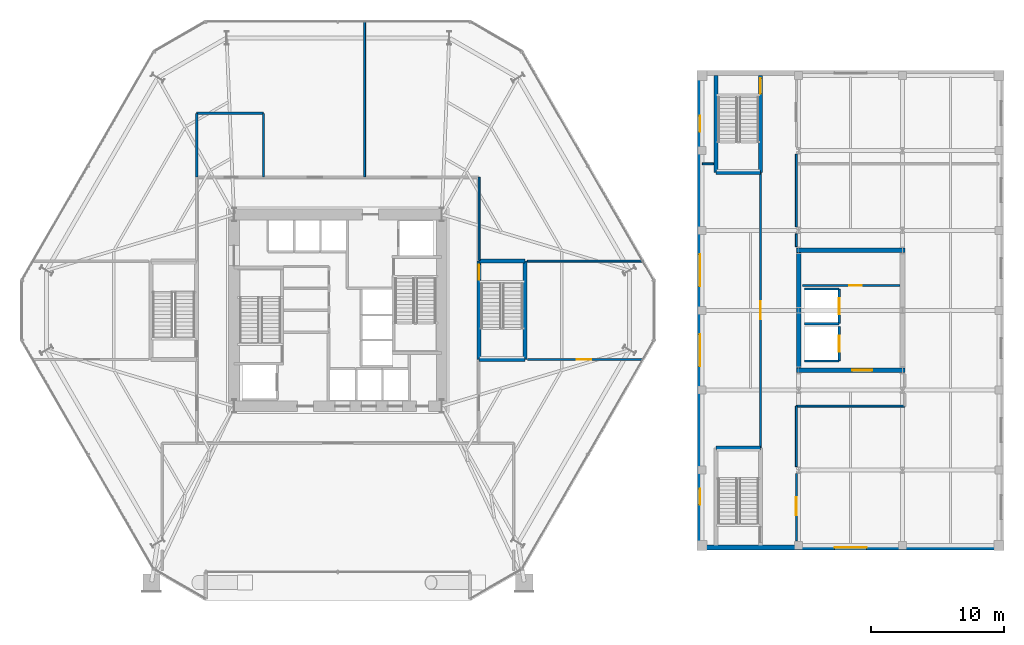
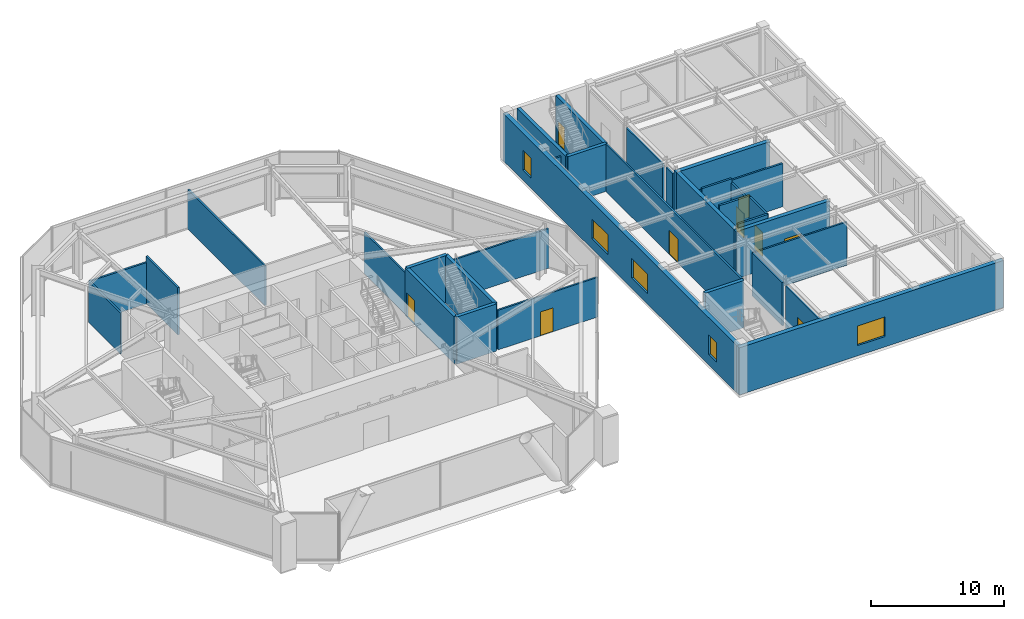
# One storey, part 17 of 23: 33 walls, 9 doors, 5 windows, 14 openings.
"""IFC4 building model written with IfcOpenShell, lengths in metres."""

from ifc_helpers import new_model, si_unit, direction, frame, frame_2d, origin, place, context, subcontext, project, spatial, rectangle, extrude, material, layer, layer_set, type_object, element, fill, save


model = new_model("IFC4")

# Units and contexts
model_context = context("Model", 3, precision=1e-05, world=origin(), true_north=direction((0.0, 1.0)))
body_context = subcontext(model_context, "Body", "Model", "MODEL_VIEW")
ifc_project = project(units=[si_unit("LENGTHUNIT", "METRE"), si_unit("AREAUNIT", "SQUARE_METRE"), si_unit("VOLUMEUNIT", "CUBIC_METRE"), si_unit("PLANEANGLEUNIT", "RADIAN"), si_unit("MASSUNIT", "GRAM", prefix="KILO")], contexts=[model_context])

# Site, building, storey
site_placement = place(None, origin())
site = spatial("IfcSite", under=ifc_project, at=site_placement, CompositionType="ELEMENT")
building_placement = place(site_placement, origin())
building = spatial("IfcBuilding", under=site, at=building_placement, Name="Kranzbogen Civic Tower", CompositionType="ELEMENT")
storey_placement = place(building_placement, frame((0.0, 0.0, 9.800048828125)))
storey = spatial("IfcBuildingStorey", under=building, at=storey_placement, Name="L02", CompositionType="ELEMENT", Elevation=9.800048828125)

# Wall
ifc_material_1 = material(Name="Double-Stud Acoustic Gypsum Partition")
ifc_layer_1 = layer(ifc_material_1, 0.14990234375, Name="Double-Stud Acoustic Gypsum Partition")
ifc_layer_set_1 = layer_set([ifc_layer_1], Name="Double-Stud Acoustic Gypsum Partition")
wall_type_1 = type_object("IfcWallType", Name="Acoustic Corridor and Clinical Partition 150 mm", PredefinedType="PARTITIONING", material=ifc_layer_set_1)
wall_1_placement = place(storey_placement, frame((35.60009765625, 28.75, 0.0), z_axis=(0.0, 0.0, 1.0), x_axis=(0.0, 1.0, 0.0)))
element("IfcWall", 1, at=wall_1_placement, inside=storey, type_object=wall_type_1, Name="L02 podium concourse E2 wall", PredefinedType="PARTITIONING", context=body_context, shape_type="SweptSolid", body=[
    extrude(rectangle(XDim=6.25, YDim=0.14990234375, at=frame_2d((3.125, 0.0))), origin(), (0.0, 0.0, 1.0), 3.7900390625),
])

# Wall, opening, door
wall_2_placement = place(storey_placement, frame((39.22998046875, 21.300048828125, 0.0), z_axis=(0.0, 0.0, 1.0), x_axis=(1.0, 0.0, 0.0)))
wall_2 = element("IfcWall", 2, at=wall_2_placement, inside=storey, type_object=wall_type_1, Name="L02 podium partition 10", PredefinedType="PARTITIONING", context=body_context, shape_type="SweptSolid", body=[
    extrude(rectangle(XDim=8.68994140625, YDim=0.14990234375, at=frame_2d((4.344970703125, 0.0))), origin(), (0.0, 0.0, 1.0), 3.639892578125),
])
opening_1_placement = place(wall_2_placement, frame((3.7060546875, 0.0, 0.0)))
opening_1 = element("IfcOpeningElement", 3, at=opening_1_placement, cuts=wall_2, Name="Opening D-COR60", PredefinedType="OPENING", context=body_context, shape_type="SweptSolid", body=[
    extrude(rectangle(XDim=1.10009765625, YDim=2.199951171875, at=frame_2d((0.550048828125, 1.10009765625))), frame((0.0, 0.0849609375, 0.0), z_axis=(0.0, -1.0, 0.0), x_axis=(1.0, 0.0, 0.0)), (0.0, 0.0, 1.0), 0.169921875),
])
ifc_material_2 = material(Name="Oak Timber and Fire Core", Category="wood")
door_type_1 = type_object("IfcDoorType", Name="Corridor Acoustic Fire Door 1100x2200", OperationType="NOTDEFINED", PredefinedType="DOOR", material=ifc_material_2)
door_1_placement = place(opening_1_placement, origin())
door_1 = element("IfcDoor", 4, at=door_1_placement, inside=storey, type_object=door_type_1, Name="L02 Parliamentary Library door", OperationType="SINGLE_SWING_RIGHT", OverallHeight=2.199951171875, OverallWidth=1.10009765625, PredefinedType="DOOR", context=body_context, shape_type="SweptSolid", body=[
    extrude(rectangle(XDim=1.10009765625, YDim=2.199951171875, at=frame_2d((0.550048828125, 1.10009765625))), frame((0.0, 0.02490234375, 0.0), z_axis=(0.0, -1.0, 0.0), x_axis=(1.0, 0.0, 0.0)), (0.0, 0.0, 1.0), 0.050048828125),
])
fill(opening_1, door_1)

# Walls
wall_3_placement = place(storey_placement, frame((39.22998046875, 28.699951171875, 0.0), z_axis=(0.0, 0.0, 1.0), x_axis=(1.0, 0.0, 0.0)))
element("IfcWall", 5, at=wall_3_placement, inside=storey, type_object=wall_type_1, Name="L02 podium partition 11", PredefinedType="PARTITIONING", context=body_context, shape_type="SweptSolid", body=[
    extrude(rectangle(XDim=8.68994140625, YDim=0.14990234375, at=frame_2d((4.344970703125, 0.0))), origin(), (0.0, 0.0, 1.0), 3.639892578125),
])
wall_4_placement = place(storey_placement, frame((27.0, 35.030029296875, 0.0), z_axis=(0.0, 0.0, 1.0), x_axis=(0.0, 1.0, 0.0)))
element("IfcWall", 6, at=wall_4_placement, inside=storey, type_object=wall_type_1, Name="L02 podium partition 12", PredefinedType="PARTITIONING", context=body_context, shape_type="SweptSolid", body=[
    extrude(rectangle(XDim=11.669921875, YDim=0.14990234375, at=frame_2d((5.8349609375, 0.0))), origin(), (0.0, 0.0, 1.0), 3.639892578125),
])

# Wall, opening, door
wall_5_placement = place(storey_placement, frame((56.75, 14.64990234375, 0.0), z_axis=(0.0, 0.0, 1.0), x_axis=(0.0, 1.0, 0.0)))
wall_5 = element("IfcWall", 7, at=wall_5_placement, inside=storey, type_object=wall_type_1, Name="L02 clinical corridor W wall", PredefinedType="PARTITIONING", context=body_context, shape_type="SweptSolid", body=[
    extrude(rectangle(XDim=20.7001953125, YDim=0.14990234375, at=frame_2d((10.35009765625, 0.0))), origin(), (0.0, 0.0, 1.0), 4.33984375),
])
opening_2_placement = place(wall_5_placement, frame((9.675048828125, 0.0, 0.0)))
opening_2 = element("IfcOpeningElement", 8, at=opening_2_placement, cuts=wall_5, Name="Opening D-CLN60", PredefinedType="OPENING", context=body_context, shape_type="SweptSolid", body=[
    extrude(rectangle(XDim=1.35009765625, YDim=2.199951171875, at=frame_2d((0.675048828125, 1.10009765625))), frame((0.0, 0.0849609375, 0.0), z_axis=(0.0, -1.0, 0.0), x_axis=(1.0, 0.0, 0.0)), (0.0, 0.0, 1.0), 0.169921875),
])
ifc_material_3 = material(Name="Pale Anodised Aluminium", Category="aluminium")
door_type_2 = type_object("IfcDoorType", Name="Clinical Wide Leaf Door 1350x2200", OperationType="NOTDEFINED", PredefinedType="DOOR", material=ifc_material_3)
door_2_placement = place(opening_2_placement, origin())
door_2 = element("IfcDoor", 9, at=door_2_placement, inside=storey, type_object=door_type_2, Name="L02 Diagnostic Radiology Suite door", OperationType="SINGLE_SWING_LEFT", OverallHeight=2.199951171875, OverallWidth=1.35009765625, PredefinedType="DOOR", context=body_context, shape_type="SweptSolid", body=[
    extrude(rectangle(XDim=1.35009765625, YDim=2.199951171875, at=frame_2d((0.675048828125, 1.10009765625))), frame((0.0, 0.02490234375, 0.0), z_axis=(0.0, -1.0, 0.0), x_axis=(1.0, 0.0, 0.0)), (0.0, 0.0, 1.0), 0.050048828125),
])
fill(opening_2, door_2)

wall_6_placement = place(storey_placement, frame((59.425048828125, 7.68994140625, 0.0), z_axis=(0.0, 0.0, 1.0), x_axis=(0.0, 1.0, 0.0)))
wall_6 = element("IfcWall", 10, at=wall_6_placement, inside=storey, type_object=wall_type_1, Name="L02 clinical corridor E1 wall part 1", PredefinedType="PARTITIONING", context=body_context, shape_type="SweptSolid", body=[
    extrude(rectangle(XDim=5.045166015625, YDim=0.14990234375, at=frame_2d((2.5224609375, 0.0))), origin(), (0.0, 0.0, 1.0), 3.97998046875),
])
opening_3_placement = place(wall_6_placement, frame((1.93603515625, 0.0, 0.0)))
opening_3 = element("IfcOpeningElement", 11, at=opening_3_placement, cuts=wall_6, Name="Opening D-CLN60", PredefinedType="OPENING", context=body_context, shape_type="SweptSolid", body=[
    extrude(rectangle(XDim=1.35009765625, YDim=2.199951171875, at=frame_2d((0.675048828125, 1.10009765625))), frame((0.0, 0.0849609375, 0.0), z_axis=(0.0, -1.0, 0.0), x_axis=(1.0, 0.0, 0.0)), (0.0, 0.0, 1.0), 0.169921875),
])
door_3_placement = place(opening_3_placement, origin())
door_3 = element("IfcDoor", 12, at=door_3_placement, inside=storey, type_object=door_type_2, Name="L02 Sub-Waiting Lounge door", OperationType="SINGLE_SWING_LEFT", OverallHeight=2.199951171875, OverallWidth=1.35009765625, PredefinedType="DOOR", context=body_context, shape_type="SweptSolid", body=[
    extrude(rectangle(XDim=1.35009765625, YDim=2.199951171875, at=frame_2d((0.675048828125, 1.10009765625))), frame((0.0, 0.02490234375, 0.0), z_axis=(0.0, -1.0, 0.0), x_axis=(1.0, 0.0, 0.0)), (0.0, 0.0, 1.0), 0.050048828125),
])
fill(opening_3, door_3)

# Walls
wall_7_placement = place(storey_placement, frame((59.425048828125, 13.264892578125, 0.0), z_axis=(0.0, 0.0, 1.0), x_axis=(0.0, 1.0, 0.0)))
element("IfcWall", 13, at=wall_7_placement, inside=storey, type_object=wall_type_1, Name="L02 clinical corridor E1 wall part 2", PredefinedType="PARTITIONING", context=body_context, shape_type="SweptSolid", body=[
    extrude(rectangle(XDim=4.53515625, YDim=0.14990234375, at=frame_2d((2.267578125, 0.0))), origin(), (0.0, 0.0, 1.0), 3.97998046875),
])
wall_8_placement = place(storey_placement, frame((59.425048828125, 29.7900390625, 0.0), z_axis=(0.0, 0.0, 1.0), x_axis=(0.0, 1.0, 0.0)))
element("IfcWall", 14, at=wall_8_placement, inside=storey, type_object=wall_type_1, Name="L02 clinical corridor E2 wall part 1", PredefinedType="PARTITIONING", context=body_context, shape_type="SweptSolid", body=[
    extrude(rectangle(XDim=0.945068359375, YDim=0.14990234375, at=frame_2d((0.47265625, 0.0))), origin(), (0.0, 0.0, 1.0), 3.97998046875),
])
wall_9_placement = place(storey_placement, frame((59.425048828125, 31.264892578125, 0.0), z_axis=(0.0, 0.0, 1.0), x_axis=(0.0, 1.0, 0.0)))
element("IfcWall", 15, at=wall_9_placement, inside=storey, type_object=wall_type_1, Name="L02 clinical corridor E2 wall part 2", PredefinedType="PARTITIONING", context=body_context, shape_type="SweptSolid", body=[
    extrude(rectangle(XDim=5.47021484375, YDim=0.14990234375, at=frame_2d((2.735107421875, 0.0))), origin(), (0.0, 0.0, 1.0), 3.97998046875),
])
wall_10_placement = place(storey_placement, frame((59.425048828125, 17.800048828125, 0.0), z_axis=(0.0, 0.0, 1.0), x_axis=(1.0, 0.0, 0.0)))
element("IfcWall", 16, at=wall_10_placement, inside=storey, type_object=wall_type_1, Name="L02 clinical partition 02", PredefinedType="PARTITIONING", context=body_context, shape_type="SweptSolid", body=[
    extrude(rectangle(XDim=8.14990234375, YDim=0.14990234375, at=frame_2d((4.074951171875, 0.0))), origin(), (0.0, 0.0, 1.0), 3.97998046875),
])
wall_11_placement = place(storey_placement, frame((52.3798828125, 36.0, 0.0), z_axis=(0.0, 0.0, 1.0), x_axis=(1.0, 0.0, 0.0)))
element("IfcWall", 17, at=wall_11_placement, inside=storey, type_object=wall_type_1, Name="L02 clinical partition 03", PredefinedType="PARTITIONING", context=body_context, shape_type="SweptSolid", body=[
    extrude(rectangle(XDim=0.840087890625, YDim=0.14990234375, at=frame_2d((0.419921875, 0.0))), origin(), (0.0, 0.0, 1.0), 3.97998046875),
])

# Wall, opening, door
ifc_material_4 = material(Name="Gypsum Fireboard Shaftliner")
ifc_layer_2 = layer(ifc_material_4, 0.175048828125, Name="Gypsum Fireboard Shaftliner")
ifc_layer_set_2 = layer_set([ifc_layer_2], Name="Gypsum Fireboard Shaftliner")
wall_type_2 = type_object("IfcWallType", Name="Fire-Rated Lift and Service Shaft Wall 175 mm", PredefinedType="PARTITIONING", material=ifc_layer_set_2)
wall_12_placement = place(storey_placement, frame((62.64990234375, 21.199951171875, 0.0), z_axis=(0.0, 0.0, 1.0), x_axis=(0.0, 1.0, 0.0)))
wall_12 = element("IfcWall", 18, at=wall_12_placement, inside=storey, type_object=wall_type_2, Name="L02 lift HC-L1 landing wall", PredefinedType="PARTITIONING", context=body_context, shape_type="SweptSolid", body=[
    extrude(rectangle(XDim=2.60009765625, YDim=0.175048828125, at=frame_2d((1.300048828125, 0.0))), origin(), (0.0, 0.0, 1.0), 4.33984375),
])
opening_4_placement = place(wall_12_placement, frame((0.699951171875, 0.0, 0.0)))
opening_4 = element("IfcOpeningElement", 19, at=opening_4_placement, cuts=wall_12, Name="Opening LD-HC-L1", PredefinedType="OPENING", context=body_context, shape_type="SweptSolid", body=[
    extrude(rectangle(XDim=1.199951171875, YDim=2.199951171875, at=frame_2d((0.60009765625, 1.10009765625))), frame((0.0, 0.09765625, 0.0), z_axis=(0.0, -1.0, 0.0), x_axis=(1.0, 0.0, 0.0)), (0.0, 0.0, 1.0), 0.195068359375),
])
door_type_3 = type_object("IfcDoorType", Name="Firefighting and Stretcher Lift Sliding Landing Door 1200x2200", OperationType="DOUBLE_DOOR_SLIDING", PredefinedType="DOOR", material=ifc_material_3)
door_4_placement = place(opening_4_placement, origin())
door_4 = element("IfcDoor", 20, at=door_4_placement, inside=storey, type_object=door_type_3, Name="L02 lift HC-L1 sliding landing door", OperationType="DOUBLE_DOOR_SLIDING", OverallHeight=2.199951171875, OverallWidth=1.199951171875, PredefinedType="DOOR", context=body_context, shape_type="SweptSolid", body=[
    extrude(rectangle(XDim=1.199951171875, YDim=2.199951171875, at=frame_2d((0.60009765625, 1.10009765625))), frame((0.0, 0.02490234375, 0.0), z_axis=(0.0, -1.0, 0.0), x_axis=(1.0, 0.0, 0.0)), (0.0, 0.0, 1.0), 0.050048828125),
])
fill(opening_4, door_4)

# Wall
wall_13_placement = place(storey_placement, frame((60.050048828125, 21.199951171875, 0.0), z_axis=(0.0, 0.0, 1.0), x_axis=(1.0, 0.0, 0.0)))
element("IfcWall", 21, at=wall_13_placement, inside=storey, type_object=wall_type_2, Name="L02 lift HC-L1 side wall", PredefinedType="PARTITIONING", context=body_context, shape_type="SweptSolid", body=[
    extrude(rectangle(XDim=2.599853515625, YDim=0.175048828125, at=frame_2d((1.2998046875, 0.0))), origin(), (0.0, 0.0, 1.0), 4.33984375),
])

# Wall, opening, door
wall_14_placement = place(storey_placement, frame((62.64990234375, 24.0, 0.0), z_axis=(0.0, 0.0, 1.0), x_axis=(0.0, 1.0, 0.0)))
wall_14 = element("IfcWall", 22, at=wall_14_placement, inside=storey, type_object=wall_type_2, Name="L02 lift HC-L2 landing wall", PredefinedType="PARTITIONING", context=body_context, shape_type="SweptSolid", body=[
    extrude(rectangle(XDim=2.60009765625, YDim=0.175048828125, at=frame_2d((1.300048828125, 0.0))), origin(), (0.0, 0.0, 1.0), 3.97998046875),
])
opening_5_placement = place(wall_14_placement, frame((0.699951171875, 0.0, 0.0)))
opening_5 = element("IfcOpeningElement", 23, at=opening_5_placement, cuts=wall_14, Name="Opening LD-HC-L2", PredefinedType="OPENING", context=body_context, shape_type="SweptSolid", body=[
    extrude(rectangle(XDim=1.199951171875, YDim=2.199951171875, at=frame_2d((0.60009765625, 1.10009765625))), frame((0.0, 0.09765625, 0.0), z_axis=(0.0, -1.0, 0.0), x_axis=(1.0, 0.0, 0.0)), (0.0, 0.0, 1.0), 0.195068359375),
])
door_5_placement = place(opening_5_placement, origin())
door_5 = element("IfcDoor", 24, at=door_5_placement, inside=storey, type_object=door_type_3, Name="L02 lift HC-L2 sliding landing door", OperationType="DOUBLE_DOOR_SLIDING", OverallHeight=2.199951171875, OverallWidth=1.199951171875, PredefinedType="DOOR", context=body_context, shape_type="SweptSolid", body=[
    extrude(rectangle(XDim=1.199951171875, YDim=2.199951171875, at=frame_2d((0.60009765625, 1.10009765625))), frame((0.0, 0.02490234375, 0.0), z_axis=(0.0, -1.0, 0.0), x_axis=(1.0, 0.0, 0.0)), (0.0, 0.0, 1.0), 0.050048828125),
])
fill(opening_5, door_5)

# Walls
for number, where, z_axis, x_axis, name in (
    (25, (60.050048828125, 24.0, 0.0), (0.0, 0.0, 1.0), (1.0, 0.0, 0.0), "L02 lift HC-L2 side wall"),
    (26, (60.050048828125, 26.60009765625, 0.0), (0.0, 0.0, 1.0), (1.0, 0.0, 0.0), "L02 lift HC-L2 North shaft wall"),
):
    element("IfcWall", number, at=place(storey_placement, frame(where, z_axis=z_axis, x_axis=x_axis)), inside=storey, type_object=wall_type_2, Name=name, PredefinedType="PARTITIONING", context=body_context, shape_type="SweptSolid", body=[
        extrude(rectangle(XDim=2.599853515625, YDim=0.175048828125, at=frame_2d((1.2998046875, 0.0))), origin(), (0.0, 0.0, 1.0), 4.33984375),
    ])

# Wall, opening, door
ifc_material_5 = material(Name="Concrete C40/50", Category="concrete")
ifc_layer_3 = layer(ifc_material_5, 0.35009765625, Name="Concrete C40/50")
ifc_layer_set_3 = layer_set([ifc_layer_3], Name="Concrete C40/50")
wall_type_3 = type_object("IfcWallType", Name="Health Centre Core Shear Wall 350 mm", PredefinedType="SHEAR", material=ifc_layer_set_3)
wall_15_placement = place(storey_placement, frame((59.425048828125, 20.5, 0.0), z_axis=(0.0, 0.0, 1.0), x_axis=(1.0, 0.0, 0.0)))
wall_15 = element("IfcWall", 27, at=wall_15_placement, inside=storey, type_object=wall_type_3, Name="L02 Health Centre core South shear wall", PredefinedType="SHEAR", context=body_context, shape_type="SweptSolid", body=[
    extrude(rectangle(XDim=8.14990234375, YDim=0.35009765625, at=frame_2d((4.074951171875, 0.0))), origin(), (0.0, 0.0, 1.0), 4.33984375),
])
opening_6_placement = place(wall_15_placement, frame((4.199951171875, 0.0, 0.0)))
opening_6 = element("IfcOpeningElement", 28, at=opening_6_placement, cuts=wall_15, Name="Opening D-DBL15", PredefinedType="OPENING", context=body_context, shape_type="SweptSolid", body=[
    extrude(rectangle(XDim=1.5, YDim=2.199951171875, at=frame_2d((0.75, 1.10009765625))), frame((0.0, 0.18505859375, 0.0), z_axis=(0.0, -1.0, 0.0), x_axis=(1.0, 0.0, 0.0)), (0.0, 0.0, 1.0), 0.3701171875),
])
ifc_material_6 = material(Name="Anodised Bronze and Glass", Category="glass")
door_type_4 = type_object("IfcDoorType", Name="Civic Lobby Double Door 1500x2200", OperationType="DOUBLE_DOOR_SINGLE_SWING", PredefinedType="DOOR", material=ifc_material_6)
door_6_placement = place(opening_6_placement, origin())
door_6 = element("IfcDoor", 29, at=door_6_placement, inside=storey, type_object=door_type_4, Name="L02 Health Centre Lift Lobby door", OperationType="DOUBLE_DOOR_SINGLE_SWING", OverallHeight=2.199951171875, OverallWidth=1.5, PredefinedType="DOOR", context=body_context, shape_type="SweptSolid", body=[
    extrude(rectangle(XDim=1.5, YDim=2.199951171875, at=frame_2d((0.75, 1.10009765625))), frame((0.0, 0.02490234375, 0.0), z_axis=(0.0, -1.0, 0.0), x_axis=(1.0, 0.0, 0.0)), (0.0, 0.0, 1.0), 0.050048828125),
])
fill(opening_6, door_6)

# Walls
wall_16_placement = place(storey_placement, frame((67.574951171875, 29.5, 0.0), z_axis=(0.0, 0.0, 1.0), x_axis=(-1.0, 0.0, 0.0)))
element("IfcWall", 30, at=wall_16_placement, inside=storey, type_object=wall_type_3, Name="L02 Health Centre core North shear wall", PredefinedType="SHEAR", context=body_context, shape_type="SweptSolid", body=[
    extrude(rectangle(XDim=8.14990234375, YDim=0.35009765625, at=frame_2d((4.074951171875, 0.0))), origin(), (0.0, 0.0, 1.0), 4.33984375),
])
wall_17_placement = place(storey_placement, frame((59.60009765625, 29.324951171875, 0.0), z_axis=(0.0, 0.0, 1.0), x_axis=(0.0, -1.0, 0.0)))
element("IfcWall", 31, at=wall_17_placement, inside=storey, type_object=wall_type_3, Name="L02 Health Centre core West shear wall", PredefinedType="SHEAR", context=body_context, shape_type="SweptSolid", body=[
    extrude(rectangle(XDim=8.64990234375, YDim=0.35009765625, at=frame_2d((4.324951171875, 0.0))), origin(), (0.0, 0.0, 1.0), 4.33984375),
])

# Wall, opening, window
ifc_material_7 = material(Name="Precast concrete C40/50", Category="concrete")
ifc_layer_4 = layer(ifc_material_7, 0.3798828125, Name="Precast concrete C40/50")
ifc_layer_set_4 = layer_set([ifc_layer_4], Name="Precast concrete C40/50")
wall_type_4 = type_object("IfcWallType", Name="Health Centre Insulated Precast Facade Wall 380 mm", PredefinedType="STANDARD", material=ifc_layer_set_4)
wall_18_placement = place(storey_placement, frame((75.0, 7.18994140625, 0.0), z_axis=(0.0, 0.0, 1.0), x_axis=(-1.0, 0.0, 0.0)))
wall_18 = element("IfcWall", 32, at=wall_18_placement, inside=storey, type_object=wall_type_4, Name="L02 Health Centre South facade wall", PredefinedType="STANDARD", context=body_context, shape_type="SweptSolid", body=[
    extrude(rectangle(XDim=23.0, YDim=0.3798828125, at=frame_2d((11.5, 0.0))), origin(), (0.0, 0.0, 1.0), 4.33984375),
])
opening_7_placement = place(wall_18_placement, frame((10.300048828125, 0.0, 0.949951171875)))
opening_7 = element("IfcOpeningElement", 33, at=opening_7_placement, cuts=wall_18, Name="Opening W-HC24", PredefinedType="OPENING", context=body_context, shape_type="SweptSolid", body=[
    extrude(rectangle(XDim=2.39990234375, YDim=1.800048828125, at=frame_2d((1.199951171875, 0.89990234375))), frame((0.0, 0.199951171875, 0.0), z_axis=(0.0, -1.0, 0.0), x_axis=(1.0, 0.0, 0.0)), (0.0, 0.0, 1.0), 0.39990234375),
])
ifc_material_8 = material(Name="Low-E Triple Glazing Glass", Category="glass")
window_type_1 = type_object("IfcWindowType", Name="Wide Clinical Window 2400x1800", PartitioningType="TRIPLE_PANEL_VERTICAL", PredefinedType="WINDOW", material=ifc_material_8)
window_1_placement = place(opening_7_placement, origin())
window_1 = element("IfcWindow", 34, at=window_1_placement, inside=storey, type_object=window_type_1, Name="L02 Health Centre South window", OverallHeight=1.800048828125, OverallWidth=2.39990234375, PartitioningType="TRIPLE_PANEL_VERTICAL", PredefinedType="WINDOW", context=body_context, shape_type="SweptSolid", body=[
    extrude(rectangle(XDim=2.39990234375, YDim=1.800048828125, at=frame_2d((1.199951171875, 0.89990234375))), frame((0.0, 0.030029296875, 0.0), z_axis=(0.0, -1.0, 0.0), x_axis=(1.0, 0.0, 0.0)), (0.0, 0.0, 1.0), 0.06005859375),
])
fill(opening_7, window_1)

# Wall, openings, windows
wall_19_placement = place(storey_placement, frame((52.18994140625, 7.3798828125, 0.0), z_axis=(0.0, 0.0, 1.0), x_axis=(0.0, 1.0, 0.0)))
wall_19 = element("IfcWall", 35, at=wall_19_placement, inside=storey, type_object=wall_type_4, Name="L02 Health Centre West facade wall", PredefinedType="STANDARD", context=body_context, shape_type="SweptSolid", body=[
    extrude(rectangle(XDim=35.240234375, YDim=0.3798828125, at=frame_2d((17.6201171875, 0.0))), origin(), (0.0, 0.0, 1.0), 4.33984375),
])
opening_8_placement = place(wall_19_placement, frame((3.02001953125, 0.0, 0.949951171875)))
opening_8 = element("IfcOpeningElement", 36, at=opening_8_placement, cuts=wall_19, Name="Opening W-HC12", PredefinedType="OPENING", context=body_context, shape_type="SweptSolid", body=[
    extrude(rectangle(XDim=1.199951171875, YDim=1.800048828125, at=frame_2d((0.60009765625, 0.89990234375))), frame((0.0, 0.199951171875, 0.0), z_axis=(0.0, -1.0, 0.0), x_axis=(1.0, 0.0, 0.0)), (0.0, 0.0, 1.0), 0.39990234375),
])
opening_9_placement = place(wall_19_placement, frame((13.419921875, 0.0, 0.949951171875)))
opening_9 = element("IfcOpeningElement", 37, at=opening_9_placement, cuts=wall_19, Name="Opening W-HC24", PredefinedType="OPENING", context=body_context, shape_type="SweptSolid", body=[
    extrude(rectangle(XDim=2.39990234375, YDim=1.800048828125, at=frame_2d((1.199951171875, 0.89990234375))), frame((0.0, 0.199951171875, 0.0), z_axis=(0.0, -1.0, 0.0), x_axis=(1.0, 0.0, 0.0)), (0.0, 0.0, 1.0), 0.39990234375),
])
opening_10_placement = place(wall_19_placement, frame((19.419921875, 0.0, 0.949951171875)))
opening_10 = element("IfcOpeningElement", 38, at=opening_10_placement, cuts=wall_19, Name="Opening W-HC24", PredefinedType="OPENING", context=body_context, shape_type="SweptSolid", body=[
    extrude(rectangle(XDim=2.39990234375, YDim=1.800048828125, at=frame_2d((1.199951171875, 0.89990234375))), frame((0.0, 0.199951171875, 0.0), z_axis=(0.0, -1.0, 0.0), x_axis=(1.0, 0.0, 0.0)), (0.0, 0.0, 1.0), 0.39990234375),
])
opening_11_placement = place(wall_19_placement, frame((31.02001953125, 0.0, 0.949951171875)))
opening_11 = element("IfcOpeningElement", 39, at=opening_11_placement, cuts=wall_19, Name="Opening W-HC12", PredefinedType="OPENING", context=body_context, shape_type="SweptSolid", body=[
    extrude(rectangle(XDim=1.199951171875, YDim=1.800048828125, at=frame_2d((0.60009765625, 0.89990234375))), frame((0.0, 0.199951171875, 0.0), z_axis=(0.0, -1.0, 0.0), x_axis=(1.0, 0.0, 0.0)), (0.0, 0.0, 1.0), 0.39990234375),
])
window_type_2 = type_object("IfcWindowType", Name="Stair and End-Bay Window 1200x1800", PartitioningType="SINGLE_PANEL", PredefinedType="WINDOW", material=ifc_material_8)
window_2_placement = place(opening_8_placement, origin())
window_2 = element("IfcWindow", 40, at=window_2_placement, inside=storey, type_object=window_type_2, Name="L02 Health Centre West bay 1 window", OverallHeight=1.800048828125, OverallWidth=1.199951171875, PartitioningType="SINGLE_PANEL", PredefinedType="WINDOW", context=body_context, shape_type="SweptSolid", body=[
    extrude(rectangle(XDim=1.199951171875, YDim=1.800048828125, at=frame_2d((0.60009765625, 0.89990234375))), frame((0.0, 0.030029296875, 0.0), z_axis=(0.0, -1.0, 0.0), x_axis=(1.0, 0.0, 0.0)), (0.0, 0.0, 1.0), 0.06005859375),
])
fill(opening_8, window_2)
window_3_placement = place(opening_11_placement, origin())
window_3 = element("IfcWindow", 41, at=window_3_placement, inside=storey, type_object=window_type_2, Name="L02 Health Centre West bay 4 window", OverallHeight=1.800048828125, OverallWidth=1.199951171875, PartitioningType="SINGLE_PANEL", PredefinedType="WINDOW", context=body_context, shape_type="SweptSolid", body=[
    extrude(rectangle(XDim=1.199951171875, YDim=1.800048828125, at=frame_2d((0.60009765625, 0.89990234375))), frame((0.0, 0.030029296875, 0.0), z_axis=(0.0, -1.0, 0.0), x_axis=(1.0, 0.0, 0.0)), (0.0, 0.0, 1.0), 0.06005859375),
])
fill(opening_11, window_3)
window_4_placement = place(opening_9_placement, origin())
window_4 = element("IfcWindow", 42, at=window_4_placement, inside=storey, type_object=window_type_1, Name="L02 Health Centre West bay 2 window", OverallHeight=1.800048828125, OverallWidth=2.39990234375, PartitioningType="TRIPLE_PANEL_VERTICAL", PredefinedType="WINDOW", context=body_context, shape_type="SweptSolid", body=[
    extrude(rectangle(XDim=2.39990234375, YDim=1.800048828125, at=frame_2d((1.199951171875, 0.89990234375))), frame((0.0, 0.030029296875, 0.0), z_axis=(0.0, -1.0, 0.0), x_axis=(1.0, 0.0, 0.0)), (0.0, 0.0, 1.0), 0.06005859375),
])
fill(opening_9, window_4)
window_5_placement = place(opening_10_placement, origin())
window_5 = element("IfcWindow", 43, at=window_5_placement, inside=storey, type_object=window_type_1, Name="L02 Health Centre West bay 3 window", OverallHeight=1.800048828125, OverallWidth=2.39990234375, PartitioningType="TRIPLE_PANEL_VERTICAL", PredefinedType="WINDOW", context=body_context, shape_type="SweptSolid", body=[
    extrude(rectangle(XDim=2.39990234375, YDim=1.800048828125, at=frame_2d((1.199951171875, 0.89990234375))), frame((0.0, 0.030029296875, 0.0), z_axis=(0.0, -1.0, 0.0), x_axis=(1.0, 0.0, 0.0)), (0.0, 0.0, 1.0), 0.06005859375),
])
fill(opening_10, window_5)

# Wall, opening, door
ifc_material_9 = material(Name="Moisture-Resistant Gypsum Assembly")
ifc_layer_5 = layer(ifc_material_9, 0.159912109375, Name="Moisture-Resistant Gypsum Assembly")
ifc_layer_set_5 = layer_set([ifc_layer_5], Name="Moisture-Resistant Gypsum Assembly")
wall_type_5 = type_object("IfcWallType", Name="Sanitary and Plumbing Wet Wall 160 mm", PredefinedType="PLUMBINGWALL", material=ifc_layer_set_5)
wall_20_placement = place(storey_placement, frame((59.89990234375, 26.875, 0.0), z_axis=(0.0, 0.0, 1.0), x_axis=(1.0, 0.0, 0.0)))
wall_20 = element("IfcWall", 44, at=wall_20_placement, inside=storey, type_object=wall_type_5, Name="L02 HC Accessible WC wall", PredefinedType="PLUMBINGWALL", context=body_context, shape_type="SweptSolid", body=[
    extrude(rectangle(XDim=7.3251953125, YDim=0.159912109375, at=frame_2d((3.66259765625, 0.0))), origin(), (0.0, 0.0, 1.0), 3.97998046875),
])
opening_12_placement = place(wall_20_placement, frame((3.5, 0.0, 0.0)))
opening_12 = element("IfcOpeningElement", 45, at=opening_12_placement, cuts=wall_20, Name="Opening D-AWC95", PredefinedType="OPENING", context=body_context, shape_type="SweptSolid", body=[
    extrude(rectangle(XDim=0.949951171875, YDim=2.10009765625, at=frame_2d((0.47509765625, 1.050048828125))), frame((0.0, 0.08984375, 0.0), z_axis=(0.0, -1.0, 0.0), x_axis=(1.0, 0.0, 0.0)), (0.0, 0.0, 1.0), 0.179931640625),
])
ifc_material_10 = material(Name="Moisture-Resistant Laminate")
door_type_5 = type_object("IfcDoorType", Name="Accessible Restroom Door 950x2100", OperationType="NOTDEFINED", PredefinedType="DOOR", material=ifc_material_10)
door_7_placement = place(opening_12_placement, origin())
door_7 = element("IfcDoor", 46, at=door_7_placement, inside=storey, type_object=door_type_5, Name="L02 Patient Accessible Restroom door", OperationType="SINGLE_SWING_LEFT", OverallHeight=2.10009765625, OverallWidth=0.949951171875, PredefinedType="DOOR", context=body_context, shape_type="SweptSolid", body=[
    extrude(rectangle(XDim=0.949951171875, YDim=2.10009765625, at=frame_2d((0.47509765625, 1.050048828125))), frame((0.0, 0.02490234375, 0.0), z_axis=(0.0, -1.0, 0.0), x_axis=(1.0, 0.0, 0.0)), (0.0, 0.0, 1.0), 0.050048828125),
])
fill(opening_12, door_7)

# Walls
wall_21_placement = place(storey_placement, frame((14.39990234375, 39.800048828125, 0.0), z_axis=(0.0, 0.0, 1.0), x_axis=(1.0, 0.0, 0.0)))
element("IfcWall", 47, at=wall_21_placement, inside=storey, type_object=wall_type_5, Name="L02 podium partition 01", PredefinedType="PLUMBINGWALL", context=body_context, shape_type="SweptSolid", body=[
    extrude(rectangle(XDim=5.0, YDim=0.159912109375, at=frame_2d((2.5, 0.0))), origin(), (0.0, 0.0, 1.0), 3.7900390625),
])
wall_22_placement = place(storey_placement, frame((19.39990234375, 35.0, 0.0), z_axis=(0.0, 0.0, 1.0), x_axis=(0.0, 1.0, 0.0)))
element("IfcWall", 48, at=wall_22_placement, inside=storey, type_object=wall_type_5, Name="L02 podium partition 02", PredefinedType="PLUMBINGWALL", context=body_context, shape_type="SweptSolid", body=[
    extrude(rectangle(XDim=4.800048828125, YDim=0.159912109375, at=frame_2d((2.39990234375, 0.0))), origin(), (0.0, 0.0, 1.0), 4.33984375),
])
wall_23_placement = place(storey_placement, frame((14.39990234375, 35.0, 0.0), z_axis=(0.0, 0.0, 1.0), x_axis=(0.0, 1.0, 0.0)))
element("IfcWall", 49, at=wall_23_placement, inside=storey, type_object=wall_type_5, Name="L02 podium partition 03", PredefinedType="PLUMBINGWALL", context=body_context, shape_type="SweptSolid", body=[
    extrude(rectangle(XDim=4.800048828125, YDim=0.159912109375, at=frame_2d((2.39990234375, 0.0))), origin(), (0.0, 0.0, 1.0), 3.7900390625),
])
ifc_layer_6 = layer(ifc_material_5, 0.300048828125, Name="Concrete C40/50")
ifc_layer_set_6 = layer_set([ifc_layer_6], Name="Concrete C40/50")
wall_type_6 = type_object("IfcWallType", Name="Structural Ramp and Stair Shaft Wall 300 mm", PredefinedType="SOLIDWALL", material=ifc_layer_set_6)
wall_24_placement = place(storey_placement, frame((53.39990234375, 14.64990234375, 0.0), z_axis=(0.0, 0.0, 1.0), x_axis=(1.0, 0.0, 0.0)))
element("IfcWall", 50, at=wall_24_placement, inside=storey, type_object=wall_type_6, Name="L02 STH1 N structural stair wall", PredefinedType="SOLIDWALL", context=body_context, shape_type="SweptSolid", body=[
    extrude(rectangle(XDim=3.35009765625, YDim=0.300048828125, at=frame_2d((1.675048828125, 0.0))), origin(), (0.0, 0.0, 1.0), 4.33984375),
])

# Wall, opening, door
wall_25_placement = place(storey_placement, frame((56.75, 35.35009765625, 0.0), z_axis=(0.0, 0.0, 1.0), x_axis=(0.0, 1.0, 0.0)))
wall_25 = element("IfcWall", 51, at=wall_25_placement, inside=storey, type_object=wall_type_6, Name="L02 STH2 E structural stair wall", PredefinedType="SOLIDWALL", context=body_context, shape_type="SweptSolid", body=[
    extrude(rectangle(XDim=7.2998046875, YDim=0.300048828125, at=frame_2d((3.64990234375, 0.0))), origin(), (0.0, 0.0, 1.0), 4.33984375),
])
opening_13_placement = place(wall_25_placement, frame((5.919921875, 0.0, 0.0)))
opening_13 = element("IfcOpeningElement", 52, at=opening_13_placement, cuts=wall_25, Name="Opening D-ST90", PredefinedType="OPENING", context=body_context, shape_type="SweptSolid", body=[
    extrude(rectangle(XDim=1.14990234375, YDim=2.199951171875, at=frame_2d((0.574951171875, 1.10009765625))), frame((0.0, 0.16015625, 0.0), z_axis=(0.0, -1.0, 0.0), x_axis=(1.0, 0.0, 0.0)), (0.0, 0.0, 1.0), 0.320068359375),
])
ifc_material_11 = material(Name="Steel S355", Category="steel")
door_type_6 = type_object("IfcDoorType", Name="Pressurized Stair and Lobby Fire Door 1150x2200", OperationType="NOTDEFINED", PredefinedType="DOOR", material=ifc_material_11)
door_8_placement = place(opening_13_placement, origin())
door_8 = element("IfcDoor", 53, at=door_8_placement, inside=storey, type_object=door_type_6, Name="L02 Health Centre Stair 2 fire door", OperationType="SINGLE_SWING_RIGHT", OverallHeight=2.199951171875, OverallWidth=1.14990234375, PredefinedType="DOOR", context=body_context, shape_type="SweptSolid", body=[
    extrude(rectangle(XDim=1.14990234375, YDim=2.199951171875, at=frame_2d((0.574951171875, 1.10009765625))), frame((0.0, 0.02490234375, 0.0), z_axis=(0.0, -1.0, 0.0), x_axis=(1.0, 0.0, 0.0)), (0.0, 0.0, 1.0), 0.050048828125),
])
fill(opening_13, door_8)

# Walls
wall_26_placement = place(storey_placement, frame((53.39990234375, 35.35009765625, 0.0), z_axis=(0.0, 0.0, 1.0), x_axis=(0.0, 1.0, 0.0)))
element("IfcWall", 54, at=wall_26_placement, inside=storey, type_object=wall_type_6, Name="L02 STH2 W structural stair wall", PredefinedType="SOLIDWALL", context=body_context, shape_type="SweptSolid", body=[
    extrude(rectangle(XDim=7.2998046875, YDim=0.300048828125, at=frame_2d((3.64990234375, 0.0))), origin(), (0.0, 0.0, 1.0), 4.33984375),
])
wall_27_placement = place(storey_placement, frame((53.39990234375, 35.35009765625, 0.0), z_axis=(0.0, 0.0, 1.0), x_axis=(1.0, 0.0, 0.0)))
element("IfcWall", 55, at=wall_27_placement, inside=storey, type_object=wall_type_6, Name="L02 STH2 S structural stair wall", PredefinedType="SOLIDWALL", context=body_context, shape_type="SweptSolid", body=[
    extrude(rectangle(XDim=3.35009765625, YDim=0.300048828125, at=frame_2d((1.675048828125, 0.0))), origin(), (0.0, 0.0, 1.0), 4.33984375),
])

# Wall, opening, door
wall_28_placement = place(storey_placement, frame((35.60009765625, 21.300048828125, 0.0), z_axis=(0.0, 0.0, 1.0), x_axis=(0.0, 1.0, 0.0)))
wall_28 = element("IfcWall", 56, at=wall_28_placement, inside=storey, type_object=wall_type_6, Name="L02 STP2 W structural stair wall", PredefinedType="SOLIDWALL", context=body_context, shape_type="SweptSolid", body=[
    extrude(rectangle(XDim=7.39990234375, YDim=0.300048828125, at=frame_2d((3.699951171875, 0.0))), origin(), (0.0, 0.0, 1.0), 4.33984375),
])
opening_14_placement = place(wall_28_placement, frame((5.97998046875, 0.0, 0.0)))
opening_14 = element("IfcOpeningElement", 57, at=opening_14_placement, cuts=wall_28, Name="Opening D-ST90", PredefinedType="OPENING", context=body_context, shape_type="SweptSolid", body=[
    extrude(rectangle(XDim=1.14990234375, YDim=2.199951171875, at=frame_2d((0.574951171875, 1.10009765625))), frame((0.0, 0.16015625, 0.0), z_axis=(0.0, -1.0, 0.0), x_axis=(1.0, 0.0, 0.0)), (0.0, 0.0, 1.0), 0.320068359375),
])
door_9_placement = place(opening_14_placement, origin())
door_9 = element("IfcDoor", 58, at=door_9_placement, inside=storey, type_object=door_type_6, Name="L02 Podium Stair 2 fire door", OperationType="SINGLE_SWING_LEFT", OverallHeight=2.199951171875, OverallWidth=1.14990234375, PredefinedType="DOOR", context=body_context, shape_type="SweptSolid", body=[
    extrude(rectangle(XDim=1.14990234375, YDim=2.199951171875, at=frame_2d((0.574951171875, 1.10009765625))), frame((0.0, 0.02490234375, 0.0), z_axis=(0.0, -1.0, 0.0), x_axis=(1.0, 0.0, 0.0)), (0.0, 0.0, 1.0), 0.050048828125),
])
fill(opening_14, door_9)

# Walls
wall_29_placement = place(storey_placement, frame((39.050048828125, 21.300048828125, 0.0), z_axis=(0.0, 0.0, 1.0), x_axis=(0.0, 1.0, 0.0)))
element("IfcWall", 59, at=wall_29_placement, inside=storey, type_object=wall_type_6, Name="L02 STP2 E structural stair wall", PredefinedType="SOLIDWALL", context=body_context, shape_type="SweptSolid", body=[
    extrude(rectangle(XDim=7.39990234375, YDim=0.300048828125, at=frame_2d((3.699951171875, 0.0))), origin(), (0.0, 0.0, 1.0), 4.33984375),
])
for number, where, z_axis, x_axis, name in (
    (60, (35.60009765625, 21.300048828125, 0.0), (0.0, 0.0, 1.0), (1.0, 0.0, 0.0), "L02 STP2 S structural stair wall"),
    (61, (35.60009765625, 28.699951171875, 0.0), (0.0, 0.0, 1.0), (1.0, 0.0, 0.0), "L02 STP2 N structural stair wall"),
):
    element("IfcWall", number, at=place(storey_placement, frame(where, z_axis=z_axis, x_axis=x_axis)), inside=storey, type_object=wall_type_6, Name=name, PredefinedType="SOLIDWALL", context=body_context, shape_type="SweptSolid", body=[
        extrude(rectangle(XDim=3.449951171875, YDim=0.300048828125, at=frame_2d((1.72509765625, 0.0))), origin(), (0.0, 0.0, 1.0), 4.33984375),
    ])

save(model, "model.ifc")
